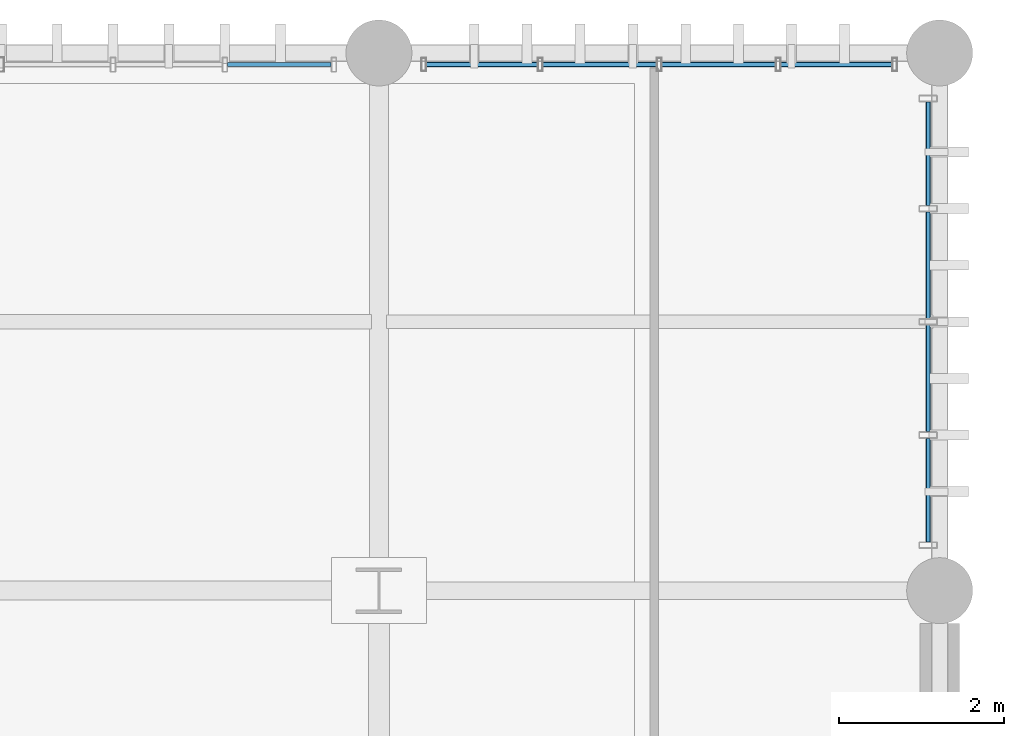
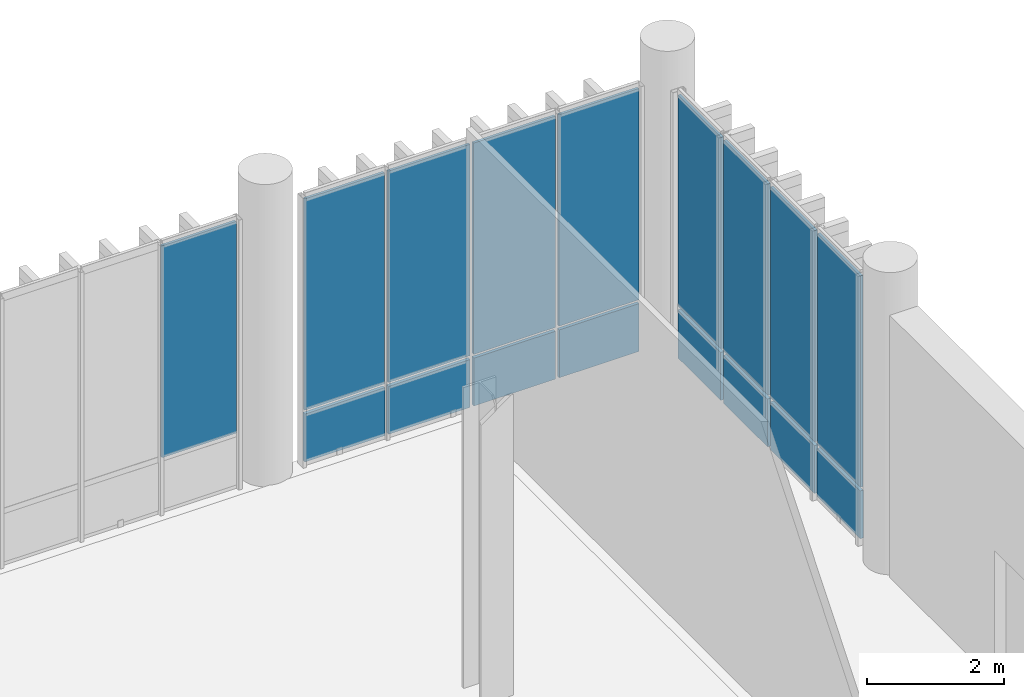
# One storey, part 84 of 112: 17 plates, 3 elements without a shape of their own.
"""IFC4 building model written with IfcOpenShell, lengths in metres."""

from ifc_helpers import new_model, si_unit, direction, frame, frame_2d, origin_with_axes, place, context, subcontext, project, spatial, rectangle, extrude, material, layer, layer_set, type_object, element, aggregate, save


model = new_model("IFC4")

# Units and contexts
model_context = context("Model", 3, precision=1e-05, world=origin_with_axes(), true_north=direction((0.0, 1.0)))
body_context = subcontext(model_context, "Body", "Model", "MODEL_VIEW")
ifc_project = project(units=[si_unit("LENGTHUNIT", "METRE"), si_unit("AREAUNIT", "SQUARE_METRE"), si_unit("VOLUMEUNIT", "CUBIC_METRE"), si_unit("PLANEANGLEUNIT", "RADIAN"), si_unit("MASSUNIT", "GRAM", prefix="KILO"), si_unit("THERMODYNAMICTEMPERATUREUNIT", "KELVIN")], contexts=[model_context])

# Site, building, storey
site_placement = place(None, origin_with_axes())
site = spatial("IfcSite", under=ifc_project, at=site_placement, CompositionType="ELEMENT")
building_placement = place(site_placement, origin_with_axes())
building = spatial("IfcBuilding", under=site, at=building_placement, Name="Montbau Bow Law Courts", CompositionType="ELEMENT")
storey_placement = place(building_placement, origin_with_axes())
storey = spatial("IfcBuildingStorey", under=building, at=storey_placement, Name="L00", CompositionType="ELEMENT", Elevation=0.0)

# Curtain wall, plate
ifc_material_1 = material(Name="Thermally Broken Extruded Aluminium AA 6063-T6", Category="aluminium")
curtain_wall_type = type_object("IfcCurtainWallType", Name="CW-SLT-01", PredefinedType="NOTDEFINED", material=ifc_material_1)
curtain_wall_1_placement = place(None, frame((155.315, 116.78, 0.0), z_axis=(0.0, 0.0, 1.0), x_axis=(1.0, 0.0, 0.0)))
curtain_wall_1 = element("IfcCurtainWall", 1, at=curtain_wall_1_placement, inside=storey, type_object=curtain_wall_type, Name="CW-L00-265:cw_0265", PredefinedType="NOTDEFINED")
ifc_material_2 = material(Name="Triple-Glazed Low-E Argon Insulating Glass Unit", Category="glass")
ifc_layer_1 = layer(ifc_material_2, 0.044, Name="Curtain Panel", Category="glass")
ifc_layer_set_1 = layer_set([ifc_layer_1], Name="Triple-Glazed Low-E Argon Insulating Glass Unit")
plate_type_1 = type_object("IfcPlateType", Name="PL-CWP-01", PredefinedType="CURTAIN_PANEL", material=ifc_layer_set_1)
plate_1_placement = place(None, frame((160.765, 116.78, 0.979), z_axis=(0.0, -1.0, 0.0), x_axis=(1.0, 0.0, 0.0)))
plate_1 = element("IfcPlate", 2, at=plate_1_placement, type_object=plate_type_1, Name="CW-L00-265-P05-2:cw_0265_P05_2", PredefinedType="CURTAIN_PANEL", context=body_context, shape_type="SweptSolid", body=[
    extrude(rectangle(XDim=1.254, YDim=3.785, at=frame_2d((0.627, 1.8925), x_axis=(1.0, 0.0))), frame((0.0, 0.0, -0.022), z_axis=(0.0, 0.0, 1.0), x_axis=(1.0, 0.0, 0.0)), (0.0, 0.0, 1.0), 0.044),
])
aggregate(curtain_wall_1, [plate_1])

# Curtain wall, plates
curtain_wall_2_placement = place(None, frame((163.115, 116.78, 0.0), z_axis=(0.0, 0.0, 1.0), x_axis=(1.0, 0.0, 0.0)))
curtain_wall_2 = element("IfcCurtainWall", 3, at=curtain_wall_2_placement, inside=storey, type_object=curtain_wall_type, Name="CW-L00-266:cw_0266", PredefinedType="NOTDEFINED")
plate_2_placement = place(None, frame((163.177, 116.78, 0.982), z_axis=(0.0, -1.0, 0.0), x_axis=(1.0, 0.0, 0.0)))
plate_2 = element("IfcPlate", 4, at=plate_2_placement, type_object=plate_type_1, Name="CW-L00-266-P01-2:cw_0266_P01_2", PredefinedType="CURTAIN_PANEL", context=body_context, shape_type="SweptSolid", body=[
    extrude(rectangle(XDim=1.348, YDim=3.776, at=frame_2d((0.674, 1.888), x_axis=(1.0, 0.0))), frame((0.0, 0.0, -0.022), z_axis=(0.0, 0.0, 1.0), x_axis=(1.0, 0.0, 0.0)), (0.0, 0.0, 1.0), 0.044),
])
plate_3_placement = place(None, frame((164.589, 116.78, 0.982), z_axis=(0.0, -1.0, 0.0), x_axis=(1.0, 0.0, 0.0)))
plate_3 = element("IfcPlate", 5, at=plate_3_placement, type_object=plate_type_1, Name="CW-L00-266-P02-2:cw_0266_P02_2", PredefinedType="CURTAIN_PANEL", context=body_context, shape_type="SweptSolid", body=[
    extrude(rectangle(XDim=1.379, YDim=3.776, at=frame_2d((0.6895, 1.888), x_axis=(1.0, 0.0))), frame((0.0, 0.0, -0.022), z_axis=(0.0, 0.0, 1.0), x_axis=(1.0, 0.0, 0.0)), (0.0, 0.0, 1.0), 0.044),
])
plate_4_placement = place(None, frame((166.032, 116.78, 0.982), z_axis=(0.0, -1.0, 0.0), x_axis=(1.0, 0.0, 0.0)))
plate_4 = element("IfcPlate", 6, at=plate_4_placement, type_object=plate_type_1, Name="CW-L00-266-P03-2:cw_0266_P03_2", PredefinedType="CURTAIN_PANEL", context=body_context, shape_type="SweptSolid", body=[
    extrude(rectangle(XDim=1.378, YDim=3.776, at=frame_2d((0.689, 1.888), x_axis=(1.0, 0.0))), frame((0.0, 0.0, -0.022), z_axis=(0.0, 0.0, 1.0), x_axis=(1.0, 0.0, 0.0)), (0.0, 0.0, 1.0), 0.044),
])
plate_5_placement = place(None, frame((167.474, 116.78, 0.982), z_axis=(0.0, -1.0, 0.0), x_axis=(1.0, 0.0, 0.0)))
plate_5 = element("IfcPlate", 7, at=plate_5_placement, type_object=plate_type_1, Name="CW-L00-266-P04-2:cw_0266_P04_2", PredefinedType="CURTAIN_PANEL", context=body_context, shape_type="SweptSolid", body=[
    extrude(rectangle(XDim=1.349, YDim=3.776, at=frame_2d((0.6745, 1.888), x_axis=(1.0, 0.0))), frame((0.0, 0.0, -0.022), z_axis=(0.0, 0.0, 1.0), x_axis=(1.0, 0.0, 0.0)), (0.0, 0.0, 1.0), 0.044),
])

curtain_wall_3_placement = place(None, frame((169.26, 110.915, 0.0), z_axis=(0.0, 0.0, 1.0), x_axis=(1.0, 0.0, 0.0)))
curtain_wall_3 = element("IfcCurtainWall", 8, at=curtain_wall_3_placement, inside=storey, type_object=curtain_wall_type, Name="CW-L00-276:cw_0276", PredefinedType="NOTDEFINED")
plate_6_placement = place(None, frame((169.26, 110.991, 0.982), z_axis=(1.0, 0.0, 0.0), x_axis=(0.0, 1.0, 0.0)))
plate_6 = element("IfcPlate", 9, at=plate_6_placement, type_object=plate_type_1, Name="CW-L00-276-P01-2:cw_0276_P01_2", PredefinedType="CURTAIN_PANEL", context=body_context, shape_type="SweptSolid", body=[
    extrude(rectangle(XDim=1.257, YDim=3.776, at=frame_2d((0.6285, 1.888), x_axis=(1.0, 0.0))), frame((0.0, 0.0, -0.022), z_axis=(0.0, 0.0, 1.0), x_axis=(1.0, 0.0, 0.0)), (0.0, 0.0, 1.0), 0.044),
])
plate_7_placement = place(None, frame((169.26, 112.327, 0.982), z_axis=(1.0, 0.0, 0.0), x_axis=(0.0, 1.0, 0.0)))
plate_7 = element("IfcPlate", 10, at=plate_7_placement, type_object=plate_type_1, Name="CW-L00-276-P02-2:cw_0276_P02_2", PredefinedType="CURTAIN_PANEL", context=body_context, shape_type="SweptSolid", body=[
    extrude(rectangle(XDim=1.294, YDim=3.776, at=frame_2d((0.647, 1.888), x_axis=(1.0, 0.0))), frame((0.0, 0.0, -0.022), z_axis=(0.0, 0.0, 1.0), x_axis=(1.0, 0.0, 0.0)), (0.0, 0.0, 1.0), 0.044),
])
plate_8_placement = place(None, frame((169.26, 113.699, 0.982), z_axis=(1.0, 0.0, 0.0), x_axis=(0.0, 1.0, 0.0)))
plate_8 = element("IfcPlate", 11, at=plate_8_placement, type_object=plate_type_1, Name="CW-L00-276-P03-2:cw_0276_P03_2", PredefinedType="CURTAIN_PANEL", context=body_context, shape_type="SweptSolid", body=[
    extrude(rectangle(XDim=1.294, YDim=3.776, at=frame_2d((0.647, 1.888), x_axis=(1.0, 0.0))), frame((0.0, 0.0, -0.022), z_axis=(0.0, 0.0, 1.0), x_axis=(1.0, 0.0, 0.0)), (0.0, 0.0, 1.0), 0.044),
])
plate_9_placement = place(None, frame((169.26, 115.071, 0.982), z_axis=(1.0, 0.0, 0.0), x_axis=(0.0, 1.0, 0.0)))
plate_9 = element("IfcPlate", 12, at=plate_9_placement, type_object=plate_type_1, Name="CW-L00-276-P04-2:cw_0276_P04_2", PredefinedType="CURTAIN_PANEL", context=body_context, shape_type="SweptSolid", body=[
    extrude(rectangle(XDim=1.257, YDim=3.776, at=frame_2d((0.6285, 1.888), x_axis=(1.0, 0.0))), frame((0.0, 0.0, -0.022), z_axis=(0.0, 0.0, 1.0), x_axis=(1.0, 0.0, 0.0)), (0.0, 0.0, 1.0), 0.044),
])

# Plate
ifc_material_3 = material(Name="Insulated Ceramic-Frit Spandrel Glazing Unit", Category="glass")
ifc_layer_2 = layer(ifc_material_3, 0.056, Name="Curtain Panel", Category="glass")
ifc_layer_set_2 = layer_set([ifc_layer_2], Name="Insulated Ceramic-Frit Spandrel Glazing Unit")
plate_type_2 = type_object("IfcPlateType", Name="PL-CWP-02", PredefinedType="CURTAIN_PANEL", material=ifc_layer_set_2)
plate_10_placement = place(None, frame((163.177, 116.78, 0.062), z_axis=(0.0, -1.0, 0.0), x_axis=(1.0, 0.0, 0.0)))
plate_10 = element("IfcPlate", 13, at=plate_10_placement, type_object=plate_type_2, Name="CW-L00-266-P01-1:cw_0266_P01_1", PredefinedType="CURTAIN_PANEL", context=body_context, shape_type="SweptSolid", body=[
    extrude(rectangle(XDim=1.348, YDim=0.856, at=frame_2d((0.674, 0.428), x_axis=(1.0, 0.0))), frame((0.0, 0.0, -0.028), z_axis=(0.0, 0.0, 1.0), x_axis=(1.0, 0.0, 0.0)), (0.0, 0.0, 1.0), 0.056),
])

plate_11_placement = place(None, frame((164.589, 116.78, 0.062), z_axis=(0.0, -1.0, 0.0), x_axis=(1.0, 0.0, 0.0)))
plate_11 = element("IfcPlate", 14, at=plate_11_placement, type_object=plate_type_2, Name="CW-L00-266-P02-1:cw_0266_P02_1", PredefinedType="CURTAIN_PANEL", context=body_context, shape_type="SweptSolid", body=[
    extrude(rectangle(XDim=1.379, YDim=0.856, at=frame_2d((0.6895, 0.428), x_axis=(1.0, 0.0))), frame((0.0, 0.0, -0.028), z_axis=(0.0, 0.0, 1.0), x_axis=(1.0, 0.0, 0.0)), (0.0, 0.0, 1.0), 0.056),
])

plate_12_placement = place(None, frame((166.032, 116.78, 0.062), z_axis=(0.0, -1.0, 0.0), x_axis=(1.0, 0.0, 0.0)))
plate_12 = element("IfcPlate", 15, at=plate_12_placement, type_object=plate_type_2, Name="CW-L00-266-P03-1:cw_0266_P03_1", PredefinedType="CURTAIN_PANEL", context=body_context, shape_type="SweptSolid", body=[
    extrude(rectangle(XDim=1.378, YDim=0.856, at=frame_2d((0.689, 0.428), x_axis=(1.0, 0.0))), frame((0.0, 0.0, -0.028), z_axis=(0.0, 0.0, 1.0), x_axis=(1.0, 0.0, 0.0)), (0.0, 0.0, 1.0), 0.056),
])

plate_13_placement = place(None, frame((167.474, 116.78, 0.062), z_axis=(0.0, -1.0, 0.0), x_axis=(1.0, 0.0, 0.0)))
plate_13 = element("IfcPlate", 16, at=plate_13_placement, type_object=plate_type_2, Name="CW-L00-266-P04-1:cw_0266_P04_1", PredefinedType="CURTAIN_PANEL", context=body_context, shape_type="SweptSolid", body=[
    extrude(rectangle(XDim=1.349, YDim=0.856, at=frame_2d((0.6745, 0.428), x_axis=(1.0, 0.0))), frame((0.0, 0.0, -0.028), z_axis=(0.0, 0.0, 1.0), x_axis=(1.0, 0.0, 0.0)), (0.0, 0.0, 1.0), 0.056),
])

aggregate(curtain_wall_2, [plate_10, plate_2, plate_11, plate_3, plate_12, plate_4, plate_13, plate_5])

plate_14_placement = place(None, frame((169.26, 110.991, 0.062), z_axis=(1.0, 0.0, 0.0), x_axis=(0.0, 1.0, 0.0)))
plate_14 = element("IfcPlate", 17, at=plate_14_placement, type_object=plate_type_2, Name="CW-L00-276-P01-1:cw_0276_P01_1", PredefinedType="CURTAIN_PANEL", context=body_context, shape_type="SweptSolid", body=[
    extrude(rectangle(XDim=1.257, YDim=0.856, at=frame_2d((0.6285, 0.428), x_axis=(1.0, 0.0))), frame((0.0, 0.0, -0.028), z_axis=(0.0, 0.0, 1.0), x_axis=(1.0, 0.0, 0.0)), (0.0, 0.0, 1.0), 0.056),
])

plate_15_placement = place(None, frame((169.26, 112.327, 0.062), z_axis=(1.0, 0.0, 0.0), x_axis=(0.0, 1.0, 0.0)))
plate_15 = element("IfcPlate", 18, at=plate_15_placement, type_object=plate_type_2, Name="CW-L00-276-P02-1:cw_0276_P02_1", PredefinedType="CURTAIN_PANEL", context=body_context, shape_type="SweptSolid", body=[
    extrude(rectangle(XDim=1.294, YDim=0.856, at=frame_2d((0.647, 0.428), x_axis=(1.0, 0.0))), frame((0.0, 0.0, -0.028), z_axis=(0.0, 0.0, 1.0), x_axis=(1.0, 0.0, 0.0)), (0.0, 0.0, 1.0), 0.056),
])

plate_16_placement = place(None, frame((169.26, 113.699, 0.062), z_axis=(1.0, 0.0, 0.0), x_axis=(0.0, 1.0, 0.0)))
plate_16 = element("IfcPlate", 19, at=plate_16_placement, type_object=plate_type_2, Name="CW-L00-276-P03-1:cw_0276_P03_1", PredefinedType="CURTAIN_PANEL", context=body_context, shape_type="SweptSolid", body=[
    extrude(rectangle(XDim=1.294, YDim=0.856, at=frame_2d((0.647, 0.428), x_axis=(1.0, 0.0))), frame((0.0, 0.0, -0.028), z_axis=(0.0, 0.0, 1.0), x_axis=(1.0, 0.0, 0.0)), (0.0, 0.0, 1.0), 0.056),
])

plate_17_placement = place(None, frame((169.26, 115.071, 0.062), z_axis=(1.0, 0.0, 0.0), x_axis=(0.0, 1.0, 0.0)))
plate_17 = element("IfcPlate", 20, at=plate_17_placement, type_object=plate_type_2, Name="CW-L00-276-P04-1:cw_0276_P04_1", PredefinedType="CURTAIN_PANEL", context=body_context, shape_type="SweptSolid", body=[
    extrude(rectangle(XDim=1.257, YDim=0.856, at=frame_2d((0.6285, 0.428), x_axis=(1.0, 0.0))), frame((0.0, 0.0, -0.028), z_axis=(0.0, 0.0, 1.0), x_axis=(1.0, 0.0, 0.0)), (0.0, 0.0, 1.0), 0.056),
])

aggregate(curtain_wall_3, [plate_14, plate_6, plate_15, plate_7, plate_16, plate_8, plate_17, plate_9])

save(model, "model.ifc")
